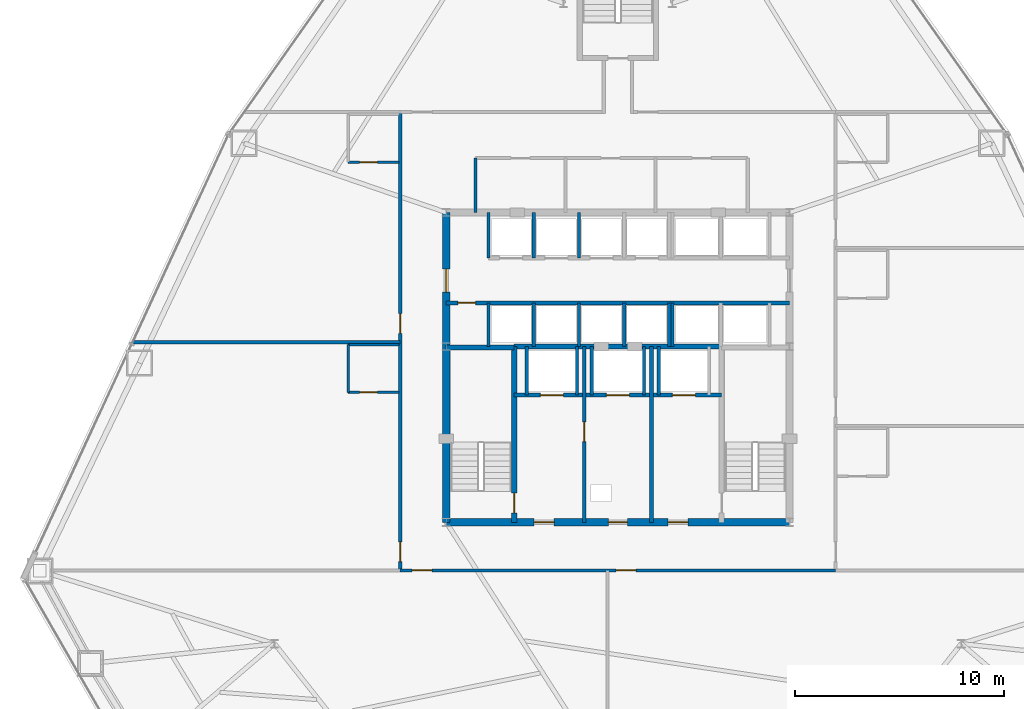
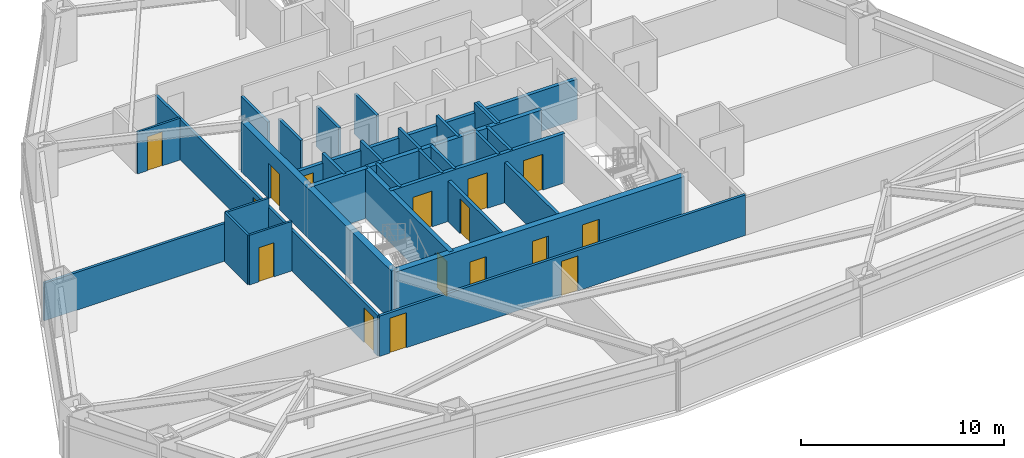
# One storey, part 9 of 12: 31 walls, 16 doors, 16 openings.
"""IFC4 building model written with IfcOpenShell, lengths in metres."""

import ifcopenshell
import ifcopenshell.guid

model = None  # the IFC model being written
_history = None  # IfcOwnerHistory: only IFC2X3 demands one
_inside = {}  # id of a spatial element -> (the spatial element, [elements in it])
_under = {}  # id of a project, library or spatial element -> (it, [spatial elements below it])
_declared = {}  # id of a project -> (the project, [libraries it declares])
_typed = {}  # id of a type object -> (the type object, [elements of that type])
_made_of = {}  # id of a material, layer set ... -> (it, [elements and type objects made of it])


def new_model(schema):
    """Start an empty IFC model of exactly this schema.

    Asked for "IFC4X3", IfcOpenShell would pick the latest addendum, in which some entities
    have other attributes; the version numbers below select the first issue.
    IFC2X3 requires an IfcOwnerHistory on every rooted entity: one is made here for all.
    """
    global model, _history
    if schema == "IFC4X3":
        model = ifcopenshell.file(schema_version=(4, 3, 0, 0))
    else:
        model = ifcopenshell.file(schema=schema)
    _inside.clear()
    _under.clear()
    _declared.clear()
    _typed.clear()
    _made_of.clear()
    _history = None
    if model.schema == "IFC2X3":
        org = make("IfcOrganization", Name="unknown")
        user = make(
            "IfcPersonAndOrganization",
            ThePerson=make("IfcPerson", FamilyName="unknown"),
            TheOrganization=org,
        )
        app = make(
            "IfcApplication",
            ApplicationDeveloper=org,
            Version="unknown",
            ApplicationFullName="unknown",
            ApplicationIdentifier="unknown",
        )
        _history = make(
            "IfcOwnerHistory",
            OwningUser=user,
            OwningApplication=app,
            ChangeAction="ADDED",
            CreationDate=0,
        )
    return model


def make(cls, **values):
    """One entity of the class cls with the attributes given. An attribute that is None is left unset."""
    return model.create_entity(
        cls, **{name: value for name, value in values.items() if value is not None}
    )


def rooted(cls, **values):
    """An entity with a GlobalId (a new one), such as an element, a storey or a relation."""
    return make(cls, GlobalId=ifcopenshell.guid.new(), OwnerHistory=_history, **values)


def si_unit(unit_type, name, prefix=None):
    """IfcSIUnit, for example si_unit("LENGTHUNIT", "METRE", prefix="MILLI")."""
    return make("IfcSIUnit", UnitType=unit_type, Prefix=prefix, Name=name)


def assignment(units):
    """IfcUnitAssignment: the units of a project."""
    return None if units is None else make("IfcUnitAssignment", Units=units)


def point(xyz):
    """IfcCartesianPoint."""
    return None if xyz is None else make("IfcCartesianPoint", Coordinates=xyz)


def direction(xyz):
    """IfcDirection."""
    return None if xyz is None else make("IfcDirection", DirectionRatios=xyz)


def frame(location, z_axis=None, x_axis=None):
    """IfcAxis2Placement3D, a coordinate frame: its origin and axes. An axis left out is left unset."""
    return make(
        "IfcAxis2Placement3D",
        Location=point(location),
        Axis=direction(z_axis),
        RefDirection=direction(x_axis),
    )


def frame_2d(location, x_axis=None):
    """IfcAxis2Placement2D, a coordinate frame in the plane: its origin and x axis."""
    return make(
        "IfcAxis2Placement2D", Location=point(location), RefDirection=direction(x_axis)
    )


def origin():
    """The frame at (0, 0, 0) with its axes left unset."""
    return frame((0.0, 0.0, 0.0))


def place(relative_to, where):
    """IfcLocalPlacement: puts the frame where relative to a parent placement (None: the world)."""
    return make(
        "IfcLocalPlacement", PlacementRelTo=relative_to, RelativePlacement=where
    )


def context(
    kind, dimensions, precision=None, world=None, true_north=None, identifier=None
):
    """IfcGeometricRepresentationContext, for example the 3D "Model" context."""
    return make(
        "IfcGeometricRepresentationContext",
        ContextIdentifier=identifier,
        ContextType=kind,
        CoordinateSpaceDimension=dimensions,
        Precision=precision,
        WorldCoordinateSystem=world,
        TrueNorth=true_north,
    )


def subcontext(parent, identifier, kind, view, scale=None):
    """IfcGeometricRepresentationSubContext, for example "Body" below "Model"."""
    return make(
        "IfcGeometricRepresentationSubContext",
        ContextIdentifier=identifier,
        ContextType=kind,
        ParentContext=parent,
        TargetScale=scale,
        TargetView=view,
    )


def project(units=None, contexts=None):
    """IfcProject with its units and contexts."""
    return rooted(
        "IfcProject",
        Name="project",
        RepresentationContexts=contexts,
        UnitsInContext=assignment(units),
    )


def spatial(cls, under=None, at=None, **own):
    """A site, building, storey or space (cls), placed at a placement, below another one or the project."""
    s = rooted(cls, ObjectPlacement=at, **own)
    if under is not None:
        _under.setdefault(under.id(), (under, []))[1].append(s)
    return s


def profile(cls, at=None, kind="AREA", **sizes):
    """A parametric profile (cls). Its sizes go by their IFC names, for example OverallWidth=200.0."""
    return make(cls, ProfileType=kind, Position=at, **sizes)


def rectangle(**sizes):
    """IfcRectangleProfileDef."""
    return profile("IfcRectangleProfileDef", **sizes)


def extrude(swept, where, along, depth):
    """IfcExtrudedAreaSolid: the profile swept, set in the frame where, extruded along a direction by depth."""
    return make(
        "IfcExtrudedAreaSolid",
        SweptArea=swept,
        Position=where,
        ExtrudedDirection=direction(along),
        Depth=depth,
    )


def shape(context_of_items, identifier, shape_type, items):
    """IfcShapeRepresentation: the items that make up one representation, for example the "Body"."""
    return make(
        "IfcShapeRepresentation",
        ContextOfItems=context_of_items,
        RepresentationIdentifier=identifier,
        RepresentationType=shape_type,
        Items=items,
    )


def material(Name=None, Category=None):
    """IfcMaterial."""
    return make("IfcMaterial", Name=Name, Category=Category)


def layer(
    of_material, thickness, ventilated=None, Name=None, Category=None, Priority=None
):
    """IfcMaterialLayer: one layer of a wall or slab, of a material (None: an air gap)."""
    return make(
        "IfcMaterialLayer",
        Material=of_material,
        LayerThickness=thickness,
        IsVentilated=ventilated,
        Name=Name,
        Category=Category,
        Priority=Priority,
    )


def layer_set(layers, Name=None):
    """IfcMaterialLayerSet."""
    return make("IfcMaterialLayerSet", MaterialLayers=layers, LayerSetName=Name)


def made_of(thing, what):
    """Note that an element or type object is made of a material, layer set ...; save() writes the relation."""
    if what is not None:
        _made_of.setdefault(what.id(), (what, []))[1].append(thing)
    return thing


def type_object(cls, material=None, **own):
    """A type object (cls), such as IfcWallType, which elements share."""
    return made_of(rooted(cls, **own), material)


def element(
    cls,
    number,
    at=None,
    inside=None,
    cuts=None,
    type_object=None,
    material=None,
    context=None,
    identifier="Body",
    shape_type=None,
    held_by="IfcProductDefinitionShape",
    body=None,
    shapes=None,
    **own,
):
    """One element of the class cls, such as IfcWall. Its Tag is "e" and its number.

    at: its placement. inside: the storey or other place that contains it. cuts: it is an
    opening in that element (IfcRelVoidsElement). A single representation is given by context,
    identifier, shape_type and body (its items); several are given by shapes. held_by: the class
    of the entity that holds the representations. save() writes the other relations.
    """
    e = rooted(cls, Tag="e%d" % number, ObjectPlacement=at, **own)
    if body is not None:
        shapes = [shape(context, identifier, shape_type, body)]
    if shapes is not None:
        e.Representation = make(held_by, Representations=shapes)
    if inside is not None:
        _inside.setdefault(inside.id(), (inside, []))[1].append(e)
    if cuts is not None:
        rooted(
            "IfcRelVoidsElement", RelatingBuildingElement=cuts, RelatedOpeningElement=e
        )
    if type_object is not None:
        _typed.setdefault(type_object.id(), (type_object, []))[1].append(e)
    return made_of(e, material)


def fill(opening, filler):
    """IfcRelFillsElement: the door or window that sits in an opening."""
    return rooted(
        "IfcRelFillsElement",
        RelatingOpeningElement=opening,
        RelatedBuildingElement=filler,
    )


def aggregate(whole, parts):
    """IfcRelAggregates: a whole, such as a stair, and the parts it consists of."""
    return rooted("IfcRelAggregates", RelatingObject=whole, RelatedObjects=parts)


def save(model, path):
    """Write the relations noted so far, then the file.

    IfcRelAggregates (storeys below a building ...), IfcRelContainedInSpatialStructure (elements
    in a storey), IfcRelDefinesByType, IfcRelAssociatesMaterial and IfcRelDeclares: one each for
    every whole, place, type object, material and project.
    """
    for whole, parts in _under.values():
        aggregate(whole, parts)
    for where, things in _inside.values():
        rooted(
            "IfcRelContainedInSpatialStructure",
            RelatedElements=things,
            RelatingStructure=where,
        )
    for kind, things in _typed.values():
        rooted("IfcRelDefinesByType", RelatedObjects=things, RelatingType=kind)
    for what, things in _made_of.values():
        rooted("IfcRelAssociatesMaterial", RelatedObjects=things, RelatingMaterial=what)
    for by, libraries in _declared.values():
        rooted("IfcRelDeclares", RelatingContext=by, RelatedDefinitions=libraries)
    model.write(path)


model = new_model("IFC4")

# Units and contexts
model_context = context("Model", 3, precision=1e-05, world=origin(), true_north=direction((0.0, 1.0)))
body_context = subcontext(model_context, "Body", "Model", "MODEL_VIEW")
ifc_project = project(units=[si_unit("LENGTHUNIT", "METRE"), si_unit("AREAUNIT", "SQUARE_METRE"), si_unit("VOLUMEUNIT", "CUBIC_METRE"), si_unit("PLANEANGLEUNIT", "RADIAN"), si_unit("MASSUNIT", "GRAM", prefix="KILO")], contexts=[model_context])

# Site, building, storey
site_placement = place(None, origin())
site = spatial("IfcSite", under=ifc_project, at=site_placement, CompositionType="ELEMENT")
building_placement = place(site_placement, origin())
building = spatial("IfcBuilding", under=site, at=building_placement, Name="Varakhsha Concourse Tower", CompositionType="ELEMENT")
storey_placement = place(building_placement, frame((0.0, 0.0, 36.800048828125)))
storey = spatial("IfcBuildingStorey", under=building, at=storey_placement, Name="L09", CompositionType="ELEMENT", Elevation=36.800048828125)

# Wall, openings, doors
ifc_material_1 = material(Name="Concrete fc 65 MPa", Category="concrete")
ifc_layer_1 = layer(ifc_material_1, 0.35009765625, Name="WL-CORE-350")
ifc_layer_set_1 = layer_set([ifc_layer_1], Name="Concrete fc 65 MPa")
wall_type_1 = type_object("IfcWallType", Name="WL-CORE-350", PredefinedType="SHEAR", material=ifc_layer_set_1)
wall_1_placement = place(storey_placement, frame((31.800048828125, 16.39990234375, 0.0), z_axis=(0.0, 0.0, 1.0), x_axis=(1.0, 0.0, 0.0)))
wall_1 = element("IfcWall", 1, at=wall_1_placement, inside=storey, type_object=wall_type_1, Name="L09 Wall CWALL-S-L09", PredefinedType="SHEAR", context=body_context, shape_type="SweptSolid", body=[
    extrude(rectangle(XDim=16.39990234375, YDim=0.35009765625, at=frame_2d((8.199951171875, 0.0))), origin(), (0.0, 0.0, 1.0), 2.97998046875),
])
opening_1_placement = place(wall_1_placement, frame((7.75, 0.0, 0.0)))
opening_1 = element("IfcOpeningElement", 2, at=opening_1_placement, cuts=wall_1, Name="Opening DF-06", PredefinedType="OPENING", context=body_context, shape_type="SweptSolid", body=[
    extrude(rectangle(XDim=0.89990234375, YDim=2.10009765625, at=frame_2d((0.449951171875, 1.050048828125))), frame((0.0, 0.18505859375, 0.0), z_axis=(0.0, -1.0, 0.0), x_axis=(1.0, 0.0, 0.0)), (0.0, 0.0, 1.0), 0.3701171875),
])
opening_2_placement = place(wall_1_placement, frame((4.199951171875, 0.0, 0.0)))
opening_2 = element("IfcOpeningElement", 3, at=opening_2_placement, cuts=wall_1, Name="Opening DF-05", PredefinedType="OPENING", context=body_context, shape_type="SweptSolid", body=[
    extrude(rectangle(XDim=0.949951171875, YDim=2.10009765625, at=frame_2d((0.47509765625, 1.050048828125))), frame((0.0, 0.18505859375, 0.0), z_axis=(0.0, -1.0, 0.0), x_axis=(1.0, 0.0, 0.0)), (0.0, 0.0, 1.0), 0.3701171875),
])
opening_3_placement = place(wall_1_placement, frame((10.60009765625, 0.0, 0.0)))
opening_3 = element("IfcOpeningElement", 4, at=opening_3_placement, cuts=wall_1, Name="Opening DF-05", PredefinedType="OPENING", context=body_context, shape_type="SweptSolid", body=[
    extrude(rectangle(XDim=0.949951171875, YDim=2.10009765625, at=frame_2d((0.47509765625, 1.050048828125))), frame((0.0, 0.18505859375, 0.0), z_axis=(0.0, -1.0, 0.0), x_axis=(1.0, 0.0, 0.0)), (0.0, 0.0, 1.0), 0.3701171875),
])
ifc_material_2 = material(Name="Hollow Galvanised Steel Fire Door Assembly", Category="steel")
door_type_1 = type_object("IfcDoorType", Name="DR-FD60-900", OperationType="NOTDEFINED", PredefinedType="DOOR", material=ifc_material_2)
door_1_placement = place(opening_1_placement, origin())
door_1 = element("IfcDoor", 5, at=door_1_placement, inside=storey, type_object=door_type_1, Name="L09 Service Riser Vestibule Door", OperationType="SINGLE_SWING_LEFT", OverallHeight=2.10009765625, OverallWidth=0.89990234375, PredefinedType="DOOR", context=body_context, shape_type="SweptSolid", body=[
    extrude(rectangle(XDim=0.89990234375, YDim=2.10009765625, at=frame_2d((0.449951171875, 1.050048828125))), frame((0.0, 0.02490234375, 0.0), z_axis=(0.0, -1.0, 0.0), x_axis=(1.0, 0.0, 0.0)), (0.0, 0.0, 1.0), 0.050048828125),
])
fill(opening_1, door_1)
door_type_2 = type_object("IfcDoorType", Name="DR-FD60-950", OperationType="NOTDEFINED", PredefinedType="DOOR", material=ifc_material_2)
door_2_placement = place(opening_2_placement, origin())
door_2 = element("IfcDoor", 6, at=door_2_placement, inside=storey, type_object=door_type_2, Name="L09 Firefighting Lobby West Door", OperationType="SINGLE_SWING_RIGHT", OverallHeight=2.10009765625, OverallWidth=0.949951171875, PredefinedType="DOOR", context=body_context, shape_type="SweptSolid", body=[
    extrude(rectangle(XDim=0.949951171875, YDim=2.10009765625, at=frame_2d((0.47509765625, 1.050048828125))), frame((0.0, 0.02490234375, 0.0), z_axis=(0.0, -1.0, 0.0), x_axis=(1.0, 0.0, 0.0)), (0.0, 0.0, 1.0), 0.050048828125),
])
fill(opening_2, door_2)
door_3_placement = place(opening_3_placement, origin())
door_3 = element("IfcDoor", 7, at=door_3_placement, inside=storey, type_object=door_type_2, Name="L09 Firefighting Lobby East Door", OperationType="SINGLE_SWING_LEFT", OverallHeight=2.10009765625, OverallWidth=0.949951171875, PredefinedType="DOOR", context=body_context, shape_type="SweptSolid", body=[
    extrude(rectangle(XDim=0.949951171875, YDim=2.10009765625, at=frame_2d((0.47509765625, 1.050048828125))), frame((0.0, 0.02490234375, 0.0), z_axis=(0.0, -1.0, 0.0), x_axis=(1.0, 0.0, 0.0)), (0.0, 0.0, 1.0), 0.050048828125),
])
fill(opening_3, door_3)

# Wall, opening, door
wall_2_placement = place(storey_placement, frame((31.800048828125, 16.39990234375, 0.0), z_axis=(0.0, 0.0, 1.0), x_axis=(0.0, 1.0, 0.0)))
wall_2 = element("IfcWall", 8, at=wall_2_placement, inside=storey, type_object=wall_type_1, Name="L09 Wall CWALL-W-L09", PredefinedType="SHEAR", context=body_context, shape_type="SweptSolid", body=[
    extrude(rectangle(XDim=14.800048828125, YDim=0.35009765625, at=frame_2d((7.39990234375, 0.0))), origin(), (0.0, 0.0, 1.0), 2.97998046875),
])
opening_4_placement = place(wall_2_placement, frame((11.0, 0.0, 0.0)))
opening_4 = element("IfcOpeningElement", 9, at=opening_4_placement, cuts=wall_2, Name="Opening DL-01", PredefinedType="OPENING", context=body_context, shape_type="SweptSolid", body=[
    extrude(rectangle(XDim=1.10009765625, YDim=2.14990234375, at=frame_2d((0.550048828125, 1.074951171875))), frame((0.0, 0.18505859375, 0.0), z_axis=(0.0, -1.0, 0.0), x_axis=(1.0, 0.0, 0.0)), (0.0, 0.0, 1.0), 0.3701171875),
])
ifc_material_3 = material(Name="Anodised Bronze Architectural Aluminium AA 6063-T6", Category="aluminium")
door_type_3 = type_object("IfcDoorType", Name="DR-LOB-1100", OperationType="NOTDEFINED", PredefinedType="DOOR", material=ifc_material_3)
door_4_placement = place(opening_4_placement, origin())
door_4 = element("IfcDoor", 10, at=door_4_placement, inside=storey, type_object=door_type_3, Name="L09 Lift Lobby West Concourse Door", OperationType="SINGLE_SWING_LEFT", OverallHeight=2.14990234375, OverallWidth=1.10009765625, PredefinedType="DOOR", context=body_context, shape_type="SweptSolid", body=[
    extrude(rectangle(XDim=1.10009765625, YDim=2.14990234375, at=frame_2d((0.550048828125, 1.074951171875))), frame((0.0, 0.02490234375, 0.0), z_axis=(0.0, -1.0, 0.0), x_axis=(1.0, 0.0, 0.0)), (0.0, 0.0, 1.0), 0.050048828125),
])
fill(opening_4, door_4)

ifc_material_4 = material(Name="Fire-Rated Type X Gypsum Partition Assembly", Category="gypsum")
ifc_layer_2 = layer(ifc_material_4, 0.179931640625, Name="WL-FFLOB-180")
ifc_layer_set_2 = layer_set([ifc_layer_2], Name="Fire-Rated Type X Gypsum Partition Assembly")
wall_type_2 = type_object("IfcWallType", Name="WL-FFLOB-180", PredefinedType="PARTITIONING", material=ifc_layer_set_2)
wall_3_placement = place(storey_placement, frame((38.389892578125, 16.39990234375, 0.0), z_axis=(0.0, 0.0, 1.0), x_axis=(0.0, 1.0, 0.0)))
wall_3 = element("IfcWall", 11, at=wall_3_placement, inside=storey, type_object=wall_type_2, Name="L09 Wall FFW-1E-L09", PredefinedType="PARTITIONING", context=body_context, shape_type="SweptSolid", body=[
    extrude(rectangle(XDim=8.400146484375, YDim=0.179931640625, at=frame_2d((4.2001953125, 0.0))), origin(), (0.0, 0.0, 1.0), 2.430908203125),
])
opening_5_placement = place(wall_3_placement, frame((3.85009765625, 0.0, 0.0)))
opening_5 = element("IfcOpeningElement", 12, at=opening_5_placement, cuts=wall_3, Name="Opening DF-05", PredefinedType="OPENING", context=body_context, shape_type="SweptSolid", body=[
    extrude(rectangle(XDim=0.949951171875, YDim=2.10009765625, at=frame_2d((0.47509765625, 1.050048828125))), frame((0.0, 0.099853515625, 0.0), z_axis=(0.0, -1.0, 0.0), x_axis=(1.0, 0.0, 0.0)), (0.0, 0.0, 1.0), 0.199951171875),
])
door_5_placement = place(opening_5_placement, origin())
door_5 = element("IfcDoor", 13, at=door_5_placement, inside=storey, type_object=door_type_2, Name="L09 Service Vestibule Door", OperationType="SINGLE_SWING_RIGHT", OverallHeight=2.10009765625, OverallWidth=0.949951171875, PredefinedType="DOOR", context=body_context, shape_type="SweptSolid", body=[
    extrude(rectangle(XDim=0.949951171875, YDim=2.10009765625, at=frame_2d((0.47509765625, 1.050048828125))), frame((0.0, 0.02490234375, 0.0), z_axis=(0.0, -1.0, 0.0), x_axis=(1.0, 0.0, 0.0)), (0.0, 0.0, 1.0), 0.050048828125),
])
fill(opening_5, door_5)

# Walls
wall_4_placement = place(storey_placement, frame((41.610107421875, 16.39990234375, 0.0), z_axis=(0.0, 0.0, 1.0), x_axis=(0.0, 1.0, 0.0)))
element("IfcWall", 14, at=wall_4_placement, inside=storey, type_object=wall_type_2, Name="L09 Wall FFW-2W-L09", PredefinedType="PARTITIONING", context=body_context, shape_type="SweptSolid", body=[
    extrude(rectangle(XDim=8.400146484375, YDim=0.179931640625, at=frame_2d((4.2001953125, 0.0))), origin(), (0.0, 0.0, 1.0), 2.430908203125),
])
ifc_material_5 = material(Name="Acoustic Gypsum Board Partition Assembly", Category="gypsum")
ifc_layer_3 = layer(ifc_material_5, 0.1201171875, Name="WL-PART-120")
ifc_layer_set_3 = layer_set([ifc_layer_3], Name="Acoustic Gypsum Board Partition Assembly")
wall_type_3 = type_object("IfcWallType", Name="WL-PART-120", PredefinedType="PARTITIONING", material=ifc_layer_set_3)
wall_5_placement = place(storey_placement, frame((27.110107421875, 22.610107421875, 0.0), z_axis=(0.0, 0.0, 1.0), x_axis=(0.0, 1.0, 0.0)))
element("IfcWall", 15, at=wall_5_placement, inside=storey, type_object=wall_type_3, Name="L09 Wall ENSW-W-L09-H03", PredefinedType="PARTITIONING", context=body_context, shape_type="SweptSolid", body=[
    extrude(rectangle(XDim=2.27978515625, YDim=0.1201171875, at=frame_2d((1.139892578125, 0.0))), origin(), (0.0, 0.0, 1.0), 2.97998046875),
])

# Wall, opening, door
wall_6_placement = place(storey_placement, frame((27.110107421875, 22.610107421875, 0.0), z_axis=(0.0, 0.0, 1.0), x_axis=(1.0, 0.0, 0.0)))
wall_6 = element("IfcWall", 16, at=wall_6_placement, inside=storey, type_object=wall_type_3, Name="L09 Wall ENSW-S-L09-H03", PredefinedType="PARTITIONING", context=body_context, shape_type="SweptSolid", body=[
    extrude(rectangle(XDim=2.429931640625, YDim=0.1201171875, at=frame_2d((1.21484375, 0.0))), origin(), (0.0, 0.0, 1.0), 2.97998046875),
])
opening_6_placement = place(wall_6_placement, frame((0.550048828125, 0.0, 0.0)))
opening_6 = element("IfcOpeningElement", 17, at=opening_6_placement, cuts=wall_6, Name="Opening DI-01", PredefinedType="OPENING", context=body_context, shape_type="SweptSolid", body=[
    extrude(rectangle(XDim=0.85009765625, YDim=2.050048828125, at=frame_2d((0.425048828125, 1.02490234375))), frame((0.0, 0.070068359375, 0.0), z_axis=(0.0, -1.0, 0.0), x_axis=(1.0, 0.0, 0.0)), (0.0, 0.0, 1.0), 0.14013671875),
])
ifc_material_6 = material(Name="Architectural Walnut Acoustic Timber Door", Category="wood")
door_type_4 = type_object("IfcDoorType", Name="DR-INT-850", OperationType="NOTDEFINED", PredefinedType="DOOR", material=ifc_material_6)
door_6_placement = place(opening_6_placement, origin())
door_6 = element("IfcDoor", 18, at=door_6_placement, inside=storey, type_object=door_type_4, Name="L09 En-suite Bathroom Door L09-H03", OperationType="SINGLE_SWING_RIGHT", OverallHeight=2.050048828125, OverallWidth=0.85009765625, PredefinedType="DOOR", context=body_context, shape_type="SweptSolid", body=[
    extrude(rectangle(XDim=0.85009765625, YDim=2.050048828125, at=frame_2d((0.425048828125, 1.02490234375))), frame((0.0, 0.02490234375, 0.0), z_axis=(0.0, -1.0, 0.0), x_axis=(1.0, 0.0, 0.0)), (0.0, 0.0, 1.0), 0.050048828125),
])
fill(opening_6, door_6)

# Wall
wall_7_placement = place(storey_placement, frame((27.110107421875, 24.889892578125, 0.0), z_axis=(0.0, 0.0, 1.0), x_axis=(1.0, 0.0, 0.0)))
element("IfcWall", 19, at=wall_7_placement, inside=storey, type_object=wall_type_3, Name="L09 Wall ENSW-N-L09-H03", PredefinedType="PARTITIONING", context=body_context, shape_type="SweptSolid", body=[
    extrude(rectangle(XDim=2.429931640625, YDim=0.1201171875, at=frame_2d((1.21484375, 0.0))), origin(), (0.0, 0.0, 1.0), 2.97998046875),
])

# Wall, opening, door
wall_8_placement = place(storey_placement, frame((27.110107421875, 33.610107421875, 0.0), z_axis=(0.0, 0.0, 1.0), x_axis=(1.0, 0.0, 0.0)))
wall_8 = element("IfcWall", 20, at=wall_8_placement, inside=storey, type_object=wall_type_3, Name="L09 Wall ENSW-S-L09-H04", PredefinedType="PARTITIONING", context=body_context, shape_type="SweptSolid", body=[
    extrude(rectangle(XDim=2.429931640625, YDim=0.1201171875, at=frame_2d((1.21484375, 0.0))), origin(), (0.0, 0.0, 1.0), 2.512939453125),
])
opening_7_placement = place(wall_8_placement, frame((0.550048828125, 0.0, 0.0)))
opening_7 = element("IfcOpeningElement", 21, at=opening_7_placement, cuts=wall_8, Name="Opening DI-01", PredefinedType="OPENING", context=body_context, shape_type="SweptSolid", body=[
    extrude(rectangle(XDim=0.85009765625, YDim=2.050048828125, at=frame_2d((0.425048828125, 1.02490234375))), frame((0.0, 0.070068359375, 0.0), z_axis=(0.0, -1.0, 0.0), x_axis=(1.0, 0.0, 0.0)), (0.0, 0.0, 1.0), 0.14013671875),
])
door_7_placement = place(opening_7_placement, origin())
door_7 = element("IfcDoor", 22, at=door_7_placement, inside=storey, type_object=door_type_4, Name="L09 En-suite Bathroom Door L09-H04", OperationType="SINGLE_SWING_RIGHT", OverallHeight=2.050048828125, OverallWidth=0.85009765625, PredefinedType="DOOR", context=body_context, shape_type="SweptSolid", body=[
    extrude(rectangle(XDim=0.85009765625, YDim=2.050048828125, at=frame_2d((0.425048828125, 1.02490234375))), frame((0.0, 0.02490234375, 0.0), z_axis=(0.0, -1.0, 0.0), x_axis=(1.0, 0.0, 0.0)), (0.0, 0.0, 1.0), 0.050048828125),
])
fill(opening_7, door_7)

# Wall
ifc_layer_4 = layer(ifc_material_4, 0.14990234375, Name="WL-PART-150")
ifc_layer_set_4 = layer_set([ifc_layer_4], Name="Fire-Rated Type X Gypsum Partition Assembly")
wall_type_4 = type_object("IfcWallType", Name="WL-PART-150", PredefinedType="PARTITIONING", material=ifc_layer_set_4)
wall_9_placement = place(storey_placement, frame((33.199951171875, 31.199951171875, 0.0), z_axis=(0.0, 0.0, 1.0), x_axis=(0.0, 1.0, 0.0)))
element("IfcWall", 23, at=wall_9_placement, inside=storey, type_object=wall_type_4, Name="L09 Wall NBOH-W-L09", PredefinedType="PARTITIONING", context=body_context, shape_type="SweptSolid", body=[
    extrude(rectangle(XDim=2.60009765625, YDim=0.14990234375, at=frame_2d((1.300048828125, 0.0))), origin(), (0.0, 0.0, 1.0), 2.430908203125),
])

# Wall, openings, doors
wall_10_placement = place(storey_placement, frame((29.60009765625, 14.10009765625, 0.0), z_axis=(0.0, 0.0, 1.0), x_axis=(1.0, 0.0, 0.0)))
wall_10 = element("IfcWall", 24, at=wall_10_placement, inside=storey, type_object=wall_type_4, Name="L09 Wall CRW-S-L09", PredefinedType="PARTITIONING", context=body_context, shape_type="SweptSolid", body=[
    extrude(rectangle(XDim=20.7998046875, YDim=0.14990234375, at=frame_2d((10.39990234375, 0.0))), origin(), (0.0, 0.0, 1.0), 2.430908203125),
])
opening_8_placement = place(wall_10_placement, frame((0.570068359375, 0.0, 0.0)))
opening_8 = element("IfcOpeningElement", 25, at=opening_8_placement, cuts=wall_10, Name="Opening DF-05", PredefinedType="OPENING", context=body_context, shape_type="SweptSolid", body=[
    extrude(rectangle(XDim=0.949951171875, YDim=2.10009765625, at=frame_2d((0.47509765625, 1.050048828125))), frame((0.0, 0.0849609375, 0.0), z_axis=(0.0, -1.0, 0.0), x_axis=(1.0, 0.0, 0.0)), (0.0, 0.0, 1.0), 0.169921875),
])
opening_9_placement = place(wall_10_placement, frame((10.320068359375, 0.0, 0.0)))
opening_9 = element("IfcOpeningElement", 26, at=opening_9_placement, cuts=wall_10, Name="Opening DF-05", PredefinedType="OPENING", context=body_context, shape_type="SweptSolid", body=[
    extrude(rectangle(XDim=0.949951171875, YDim=2.10009765625, at=frame_2d((0.47509765625, 1.050048828125))), frame((0.0, 0.0849609375, 0.0), z_axis=(0.0, -1.0, 0.0), x_axis=(1.0, 0.0, 0.0)), (0.0, 0.0, 1.0), 0.169921875),
])
door_8_placement = place(opening_8_placement, origin())
door_8 = element("IfcDoor", 27, at=door_8_placement, inside=storey, type_object=door_type_2, Name="L09 Hotel Executive Salon L09-H01 Door", OperationType="SINGLE_SWING_LEFT", OverallHeight=2.10009765625, OverallWidth=0.949951171875, PredefinedType="DOOR", context=body_context, shape_type="SweptSolid", body=[
    extrude(rectangle(XDim=0.949951171875, YDim=2.10009765625, at=frame_2d((0.47509765625, 1.050048828125))), frame((0.0, 0.02490234375, 0.0), z_axis=(0.0, -1.0, 0.0), x_axis=(1.0, 0.0, 0.0)), (0.0, 0.0, 1.0), 0.050048828125),
])
fill(opening_8, door_8)
door_9_placement = place(opening_9_placement, origin())
door_9 = element("IfcDoor", 28, at=door_9_placement, inside=storey, type_object=door_type_2, Name="L09 Hotel Spa and Wellness Salon L09-H02 Door", OperationType="SINGLE_SWING_RIGHT", OverallHeight=2.10009765625, OverallWidth=0.949951171875, PredefinedType="DOOR", context=body_context, shape_type="SweptSolid", body=[
    extrude(rectangle(XDim=0.949951171875, YDim=2.10009765625, at=frame_2d((0.47509765625, 1.050048828125))), frame((0.0, 0.02490234375, 0.0), z_axis=(0.0, -1.0, 0.0), x_axis=(1.0, 0.0, 0.0)), (0.0, 0.0, 1.0), 0.050048828125),
])
fill(opening_9, door_9)

wall_11_placement = place(storey_placement, frame((29.60009765625, 14.10009765625, 0.0), z_axis=(0.0, 0.0, 1.0), x_axis=(0.0, 1.0, 0.0)))
wall_11 = element("IfcWall", 29, at=wall_11_placement, inside=storey, type_object=wall_type_4, Name="L09 Wall CRW-W-L09", PredefinedType="PARTITIONING", context=body_context, shape_type="SweptSolid", body=[
    extrude(rectangle(XDim=21.89990234375, YDim=0.14990234375, at=frame_2d((10.949951171875, 0.0))), origin(), (0.0, 0.0, 1.0), 2.430908203125),
])
opening_10_placement = place(wall_11_placement, frame((0.419921875, 0.0, 0.0)))
opening_10 = element("IfcOpeningElement", 30, at=opening_10_placement, cuts=wall_11, Name="Opening DF-05", PredefinedType="OPENING", context=body_context, shape_type="SweptSolid", body=[
    extrude(rectangle(XDim=0.949951171875, YDim=2.10009765625, at=frame_2d((0.47509765625, 1.050048828125))), frame((0.0, 0.0849609375, 0.0), z_axis=(0.0, -1.0, 0.0), x_axis=(1.0, 0.0, 0.0)), (0.0, 0.0, 1.0), 0.169921875),
])
opening_11_placement = place(wall_11_placement, frame((11.320068359375, 0.0, 0.0)))
opening_11 = element("IfcOpeningElement", 31, at=opening_11_placement, cuts=wall_11, Name="Opening DF-05", PredefinedType="OPENING", context=body_context, shape_type="SweptSolid", body=[
    extrude(rectangle(XDim=0.949951171875, YDim=2.10009765625, at=frame_2d((0.47509765625, 1.050048828125))), frame((0.0, 0.0849609375, 0.0), z_axis=(0.0, -1.0, 0.0), x_axis=(1.0, 0.0, 0.0)), (0.0, 0.0, 1.0), 0.169921875),
])
door_10_placement = place(opening_10_placement, origin())
door_10 = element("IfcDoor", 32, at=door_10_placement, inside=storey, type_object=door_type_2, Name="L09 Hotel Corner Suite L09-H03 Entry Door", OperationType="SINGLE_SWING_LEFT", OverallHeight=2.10009765625, OverallWidth=0.949951171875, PredefinedType="DOOR", context=body_context, shape_type="SweptSolid", body=[
    extrude(rectangle(XDim=0.949951171875, YDim=2.10009765625, at=frame_2d((0.47509765625, 1.050048828125))), frame((0.0, 0.02490234375, 0.0), z_axis=(0.0, -1.0, 0.0), x_axis=(1.0, 0.0, 0.0)), (0.0, 0.0, 1.0), 0.050048828125),
])
fill(opening_10, door_10)
door_11_placement = place(opening_11_placement, origin())
door_11 = element("IfcDoor", 33, at=door_11_placement, inside=storey, type_object=door_type_2, Name="L09 Hotel Corner Suite L09-H04 Entry Door", OperationType="SINGLE_SWING_RIGHT", OverallHeight=2.10009765625, OverallWidth=0.949951171875, PredefinedType="DOOR", context=body_context, shape_type="SweptSolid", body=[
    extrude(rectangle(XDim=0.949951171875, YDim=2.10009765625, at=frame_2d((0.47509765625, 1.050048828125))), frame((0.0, 0.02490234375, 0.0), z_axis=(0.0, -1.0, 0.0), x_axis=(1.0, 0.0, 0.0)), (0.0, 0.0, 1.0), 0.050048828125),
])
fill(opening_11, door_11)

# Wall
wall_12_placement = place(storey_placement, frame((16.8251953125, 25.0, 0.0), z_axis=(0.0, 0.0, 1.0), x_axis=(1.0, 0.0, 0.0)))
element("IfcWall", 34, at=wall_12_placement, inside=storey, type_object=wall_type_4, Name="L09 Wall HDIV-W1-L09", PredefinedType="PARTITIONING", context=body_context, shape_type="SweptSolid", body=[
    extrude(rectangle(XDim=12.77490234375, YDim=0.14990234375, at=frame_2d((6.387451171875, 0.0))), origin(), (0.0, 0.0, 1.0), 2.26806640625),
])

# Wall, openings, doors
ifc_layer_5 = layer(ifc_material_4, 0.199951171875, Name="WL-SHAFT-220")
ifc_layer_set_5 = layer_set([ifc_layer_5], Name="Fire-Rated Type X Gypsum Partition Assembly")
wall_type_5 = type_object("IfcWallType", Name="WL-SHAFT-220", PredefinedType="SOLIDWALL", material=ifc_layer_set_5)
wall_13_placement = place(storey_placement, frame((35.044921875, 22.47998046875, 0.0), z_axis=(0.0, 0.0, 1.0), x_axis=(1.0, 0.0, 0.0)))
wall_13 = element("IfcWall", 35, at=wall_13_placement, inside=storey, type_object=wall_type_5, Name="L09 Wall FFW-NH-L09", PredefinedType="SOLIDWALL", context=body_context, shape_type="SweptSolid", body=[
    extrude(rectangle(XDim=9.91015625, YDim=0.199951171875, at=frame_2d((4.955078125, 0.0))), origin(), (0.0, 0.0, 1.0), 2.97998046875),
])
opening_12_placement = place(wall_13_placement, frame((1.2548828125, 0.0, 0.0)))
opening_12 = element("IfcOpeningElement", 36, at=opening_12_placement, cuts=wall_13, Name="Opening LD-FFL-1", PredefinedType="OPENING", context=body_context, shape_type="SweptSolid", body=[
    extrude(rectangle(XDim=1.10009765625, YDim=2.14990234375, at=frame_2d((0.550048828125, 1.074951171875))), frame((0.0, 0.10986328125, 0.0), z_axis=(0.0, -1.0, 0.0), x_axis=(1.0, 0.0, 0.0)), (0.0, 0.0, 1.0), 0.219970703125),
])
opening_13_placement = place(wall_13_placement, frame((7.554931640625, 0.0, 0.0)))
opening_13 = element("IfcOpeningElement", 37, at=opening_13_placement, cuts=wall_13, Name="Opening LD-FFL-2", PredefinedType="OPENING", context=body_context, shape_type="SweptSolid", body=[
    extrude(rectangle(XDim=1.10009765625, YDim=2.14990234375, at=frame_2d((0.550048828125, 1.074951171875))), frame((0.0, 0.10986328125, 0.0), z_axis=(0.0, -1.0, 0.0), x_axis=(1.0, 0.0, 0.0)), (0.0, 0.0, 1.0), 0.219970703125),
])
opening_14_placement = place(wall_13_placement, frame((4.405029296875, 0.0, 0.0)))
opening_14 = element("IfcOpeningElement", 38, at=opening_14_placement, cuts=wall_13, Name="Opening LD-SVL-1", PredefinedType="OPENING", context=body_context, shape_type="SweptSolid", body=[
    extrude(rectangle(XDim=1.10009765625, YDim=2.14990234375, at=frame_2d((0.550048828125, 1.074951171875))), frame((0.0, 0.10986328125, 0.0), z_axis=(0.0, -1.0, 0.0), x_axis=(1.0, 0.0, 0.0)), (0.0, 0.0, 1.0), 0.219970703125),
])
ifc_material_7 = material(Name="Brushed Austenitic Stainless Steel AISI 316", Category="steel")
door_type_5 = type_object("IfcDoorType", Name="DR-LD-1100", OperationType="DOUBLE_DOOR_SLIDING", PredefinedType="DOOR", material=ifc_material_7)
door_12_placement = place(opening_12_placement, origin())
door_12 = element("IfcDoor", 39, at=door_12_placement, inside=storey, type_object=door_type_5, Name="Lift Landing Door FFL-1 L09", OperationType="DOUBLE_DOOR_SLIDING", OverallHeight=2.14990234375, OverallWidth=1.10009765625, PredefinedType="DOOR", context=body_context, shape_type="SweptSolid", body=[
    extrude(rectangle(XDim=1.10009765625, YDim=2.14990234375, at=frame_2d((0.550048828125, 1.074951171875))), frame((0.0, 0.02490234375, 0.0), z_axis=(0.0, -1.0, 0.0), x_axis=(1.0, 0.0, 0.0)), (0.0, 0.0, 1.0), 0.050048828125),
])
fill(opening_12, door_12)
door_13_placement = place(opening_13_placement, origin())
door_13 = element("IfcDoor", 40, at=door_13_placement, inside=storey, type_object=door_type_5, Name="Lift Landing Door FFL-2 L09", OperationType="DOUBLE_DOOR_SLIDING", OverallHeight=2.14990234375, OverallWidth=1.10009765625, PredefinedType="DOOR", context=body_context, shape_type="SweptSolid", body=[
    extrude(rectangle(XDim=1.10009765625, YDim=2.14990234375, at=frame_2d((0.550048828125, 1.074951171875))), frame((0.0, 0.02490234375, 0.0), z_axis=(0.0, -1.0, 0.0), x_axis=(1.0, 0.0, 0.0)), (0.0, 0.0, 1.0), 0.050048828125),
])
fill(opening_13, door_13)
door_14_placement = place(opening_14_placement, origin())
door_14 = element("IfcDoor", 41, at=door_14_placement, inside=storey, type_object=door_type_5, Name="Lift Landing Door SVL-1 L09", OperationType="DOUBLE_DOOR_SLIDING", OverallHeight=2.14990234375, OverallWidth=1.10009765625, PredefinedType="DOOR", context=body_context, shape_type="SweptSolid", body=[
    extrude(rectangle(XDim=1.10009765625, YDim=2.14990234375, at=frame_2d((0.550048828125, 1.074951171875))), frame((0.0, 0.02490234375, 0.0), z_axis=(0.0, -1.0, 0.0), x_axis=(1.0, 0.0, 0.0)), (0.0, 0.0, 1.0), 0.050048828125),
])
fill(opening_14, door_14)

# Walls
for number, where, z_axis, x_axis, name in (
    (42, (35.64990234375, 22.47998046875, 0.0), (0.0, 0.0, 1.0), (0.0, 1.0, 0.0), "L09 Wall SHW-FFL-1-W-L09"),
    (43, (38.050048828125, 22.47998046875, 0.0), (0.0, 0.0, 1.0), (0.0, 1.0, 0.0), "L09 Wall SHW-FFL-1-E-L09"),
    (44, (41.949951171875, 22.47998046875, 0.0), (0.0, 0.0, 1.0), (0.0, 1.0, 0.0), "L09 Wall SHW-FFL-2-W-L09"),
    (45, (38.75, 22.47998046875, 0.0), (0.0, 0.0, 1.0), (0.0, 1.0, 0.0), "L09 Wall SHW-SVL-1-W-L09"),
    (46, (41.25, 22.47998046875, 0.0), (0.0, 0.0, 1.0), (0.0, 1.0, 0.0), "L09 Wall SHW-SVL-1-E-L09"),
):
    element("IfcWall", number, at=place(storey_placement, frame(where, z_axis=z_axis, x_axis=x_axis)), inside=storey, type_object=wall_type_5, Name=name, PredefinedType="SOLIDWALL", context=body_context, shape_type="SweptSolid", body=[
        extrude(rectangle(XDim=2.320068359375, YDim=0.159912109375, at=frame_2d((1.16015625, 0.0))), origin(), (0.0, 0.0, 1.0), 2.97998046875),
    ])

# Wall, opening, door
wall_14_placement = place(storey_placement, frame((31.800048828125, 26.8798828125, 0.0), z_axis=(0.0, 0.0, 1.0), x_axis=(1.0, 0.0, 0.0)))
wall_14 = element("IfcWall", 47, at=wall_14_placement, inside=storey, type_object=wall_type_5, Name="L09 Wall PLW-S-L09", PredefinedType="SOLIDWALL", context=body_context, shape_type="SweptSolid", body=[
    extrude(rectangle(XDim=16.39990234375, YDim=0.199951171875, at=frame_2d((8.199951171875, 0.0))), origin(), (0.0, 0.0, 1.0), 2.430908203125),
])
opening_15_placement = place(wall_14_placement, frame((0.550048828125, 0.0, 0.0)))
opening_15 = element("IfcOpeningElement", 48, at=opening_15_placement, cuts=wall_14, Name="Opening DF-07", PredefinedType="OPENING", context=body_context, shape_type="SweptSolid", body=[
    extrude(rectangle(XDim=0.85009765625, YDim=2.050048828125, at=frame_2d((0.425048828125, 1.02490234375))), frame((0.0, 0.10986328125, 0.0), z_axis=(0.0, -1.0, 0.0), x_axis=(1.0, 0.0, 0.0)), (0.0, 0.0, 1.0), 0.219970703125),
])
door_type_6 = type_object("IfcDoorType", Name="DR-FD60-850", OperationType="NOTDEFINED", PredefinedType="DOOR", material=ifc_material_2)
door_15_placement = place(opening_15_placement, origin())
door_15 = element("IfcDoor", 49, at=door_15_placement, inside=storey, type_object=door_type_6, Name="L09 Core Telecoms Closet Door", OperationType="SINGLE_SWING_RIGHT", OverallHeight=2.050048828125, OverallWidth=0.85009765625, PredefinedType="DOOR", context=body_context, shape_type="SweptSolid", body=[
    extrude(rectangle(XDim=0.85009765625, YDim=2.050048828125, at=frame_2d((0.425048828125, 1.02490234375))), frame((0.0, 0.02490234375, 0.0), z_axis=(0.0, -1.0, 0.0), x_axis=(1.0, 0.0, 0.0)), (0.0, 0.0, 1.0), 0.050048828125),
])
fill(opening_15, door_15)

# Walls
wall_15_placement = place(storey_placement, frame((33.820068359375, 29.02001953125, 0.0), z_axis=(0.0, 0.0, 1.0), x_axis=(0.0, 1.0, 0.0)))
element("IfcWall", 50, at=wall_15_placement, inside=storey, type_object=wall_type_5, Name="L09 Wall WBOH-E1-L09", PredefinedType="SOLIDWALL", context=body_context, shape_type="SweptSolid", body=[
    extrude(rectangle(XDim=2.179931640625, YDim=0.159912109375, at=frame_2d((1.08984375, 0.0))), origin(), (0.0, 0.0, 1.0), 2.430908203125),
])
wall_16_placement = place(storey_placement, frame((33.820068359375, 24.800048828125, 0.0), z_axis=(0.0, 0.0, 1.0), x_axis=(0.0, 1.0, 0.0)))
element("IfcWall", 51, at=wall_16_placement, inside=storey, type_object=wall_type_5, Name="L09 Wall WBOH-E2-L09", PredefinedType="SOLIDWALL", context=body_context, shape_type="SweptSolid", body=[
    extrude(rectangle(XDim=2.079833984375, YDim=0.159912109375, at=frame_2d((1.0400390625, 0.0))), origin(), (0.0, 0.0, 1.0), 2.97998046875),
])
for number, where, z_axis, x_axis, name in (
    (52, (35.97998046875, 29.02001953125, 0.0), (0.0, 0.0, 1.0), (0.0, 1.0, 0.0), "L09 Wall SHW-LF-P01-E-L09"),
    (53, (38.139892578125, 29.02001953125, 0.0), (0.0, 0.0, 1.0), (0.0, 1.0, 0.0), "L09 Wall SHW-LF-P02-E-L09"),
):
    element("IfcWall", number, at=place(storey_placement, frame(where, z_axis=z_axis, x_axis=x_axis)), inside=storey, type_object=wall_type_5, Name=name, PredefinedType="SOLIDWALL", context=body_context, shape_type="SweptSolid", body=[
        extrude(rectangle(XDim=2.179931640625, YDim=0.159912109375, at=frame_2d((1.08984375, 0.0))), origin(), (0.0, 0.0, 1.0), 2.430908203125),
    ])
for number, where, z_axis, x_axis, name in (
    (54, (35.97998046875, 24.800048828125, 0.0), (0.0, 0.0, 1.0), (0.0, 1.0, 0.0), "L09 Wall SHW-LF-P05-E-L09"),
    (55, (38.139892578125, 24.800048828125, 0.0), (0.0, 0.0, 1.0), (0.0, 1.0, 0.0), "L09 Wall SHW-LF-P06-E-L09"),
    (56, (40.300048828125, 24.800048828125, 0.0), (0.0, 0.0, 1.0), (0.0, 1.0, 0.0), "L09 Wall SHW-LF-P07-E-L09"),
    (57, (42.4599609375, 24.800048828125, 0.0), (0.0, 0.0, 1.0), (0.0, 1.0, 0.0), "L09 Wall SHW-LF-P08-E-L09"),
    (58, (42.60009765625, 24.800048828125, 0.0), (0.0, 0.0, 1.0), (0.0, 1.0, 0.0), "L09 Wall SHW-LF-P11-W-L09"),
):
    element("IfcWall", number, at=place(storey_placement, frame(where, z_axis=z_axis, x_axis=x_axis)), inside=storey, type_object=wall_type_5, Name=name, PredefinedType="SOLIDWALL", context=body_context, shape_type="SweptSolid", body=[
        extrude(rectangle(XDim=2.079833984375, YDim=0.159912109375, at=frame_2d((1.0400390625, 0.0))), origin(), (0.0, 0.0, 1.0), 2.97998046875),
    ])

# Wall, opening, door
ifc_material_8 = material(Name="Concrete fc 45 MPa", Category="concrete")
ifc_layer_6 = layer(ifc_material_8, 0.25, Name="WL-STAIR-250")
ifc_layer_set_6 = layer_set([ifc_layer_6], Name="Concrete fc 45 MPa")
wall_type_6 = type_object("IfcWallType", Name="WL-STAIR-250", PredefinedType="SHEAR", material=ifc_layer_set_6)
wall_17_placement = place(storey_placement, frame((35.044921875, 16.39990234375, 0.0), z_axis=(0.0, 0.0, 1.0), x_axis=(0.0, 1.0, 0.0)))
wall_17 = element("IfcWall", 59, at=wall_17_placement, inside=storey, type_object=wall_type_6, Name="L09 Wall SWALL-ST1-E-L09", PredefinedType="SHEAR", context=body_context, shape_type="SweptSolid", body=[
    extrude(rectangle(XDim=8.400146484375, YDim=0.25, at=frame_2d((4.2001953125, 0.0))), origin(), (0.0, 0.0, 1.0), 2.97998046875),
])
opening_16_placement = place(wall_17_placement, frame((0.449951171875, 0.0, 0.0)))
opening_16 = element("IfcOpeningElement", 60, at=opening_16_placement, cuts=wall_17, Name="Opening DF-03", PredefinedType="OPENING", context=body_context, shape_type="SweptSolid", body=[
    extrude(rectangle(XDim=0.949951171875, YDim=2.10009765625, at=frame_2d((0.47509765625, 1.050048828125))), frame((0.0, 0.135009765625, 0.0), z_axis=(0.0, -1.0, 0.0), x_axis=(1.0, 0.0, 0.0)), (0.0, 0.0, 1.0), 0.27001953125),
])
door_type_7 = type_object("IfcDoorType", Name="DR-FD90-950", OperationType="NOTDEFINED", PredefinedType="DOOR", material=ifc_material_2)
door_16_placement = place(opening_16_placement, origin())
door_16 = element("IfcDoor", 61, at=door_16_placement, inside=storey, type_object=door_type_7, Name="L09 Stair ST1 Fire Door", OperationType="SINGLE_SWING_LEFT", OverallHeight=2.10009765625, OverallWidth=0.949951171875, PredefinedType="DOOR", context=body_context, shape_type="SweptSolid", body=[
    extrude(rectangle(XDim=0.949951171875, YDim=2.10009765625, at=frame_2d((0.47509765625, 1.050048828125))), frame((0.0, 0.02490234375, 0.0), z_axis=(0.0, -1.0, 0.0), x_axis=(1.0, 0.0, 0.0)), (0.0, 0.0, 1.0), 0.050048828125),
])
fill(opening_16, door_16)

# Walls
wall_18_placement = place(storey_placement, frame((31.800048828125, 24.7548828125, 0.0), z_axis=(0.0, 0.0, 1.0), x_axis=(1.0, 0.0, 0.0)))
element("IfcWall", 62, at=wall_18_placement, inside=storey, type_object=wall_type_6, Name="L09 Wall SWALL-ST1-N-L09", PredefinedType="SHEAR", context=body_context, shape_type="SweptSolid", body=[
    extrude(rectangle(XDim=3.244873046875, YDim=0.25, at=frame_2d((1.62255859375, 0.0))), origin(), (0.0, 0.0, 1.0), 2.97998046875),
])
wall_19_placement = place(storey_placement, frame((35.044921875, 24.800048828125, 0.0), z_axis=(0.0, 0.0, 1.0), x_axis=(1.0, 0.0, 0.0)))
element("IfcWall", 63, at=wall_19_placement, inside=storey, type_object=wall_type_6, Name="L09 Wall SWALL-MID-H-L09", PredefinedType="SHEAR", context=body_context, shape_type="SweptSolid", body=[
    extrude(rectangle(XDim=9.91015625, YDim=0.25, at=frame_2d((4.955078125, 0.0))), origin(), (0.0, 0.0, 1.0), 2.97998046875),
])

save(model, "model.ifc")
